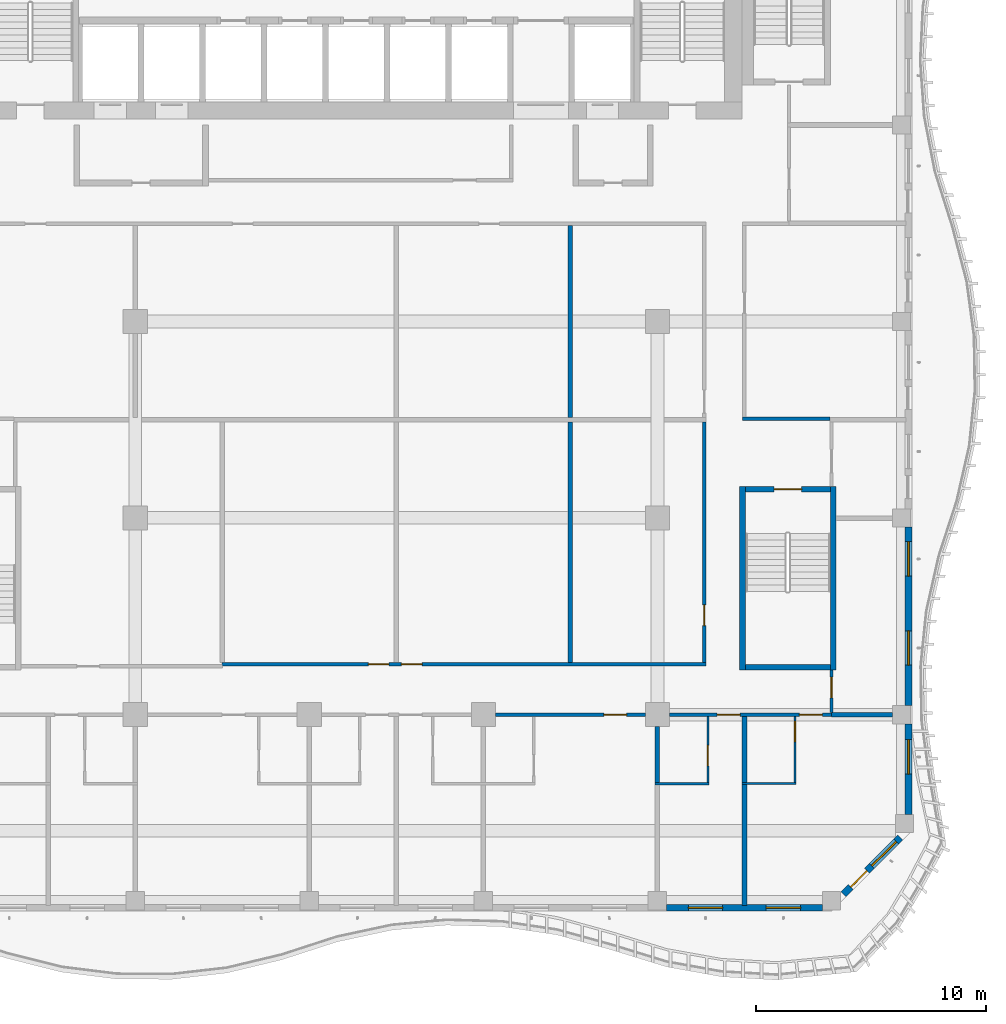
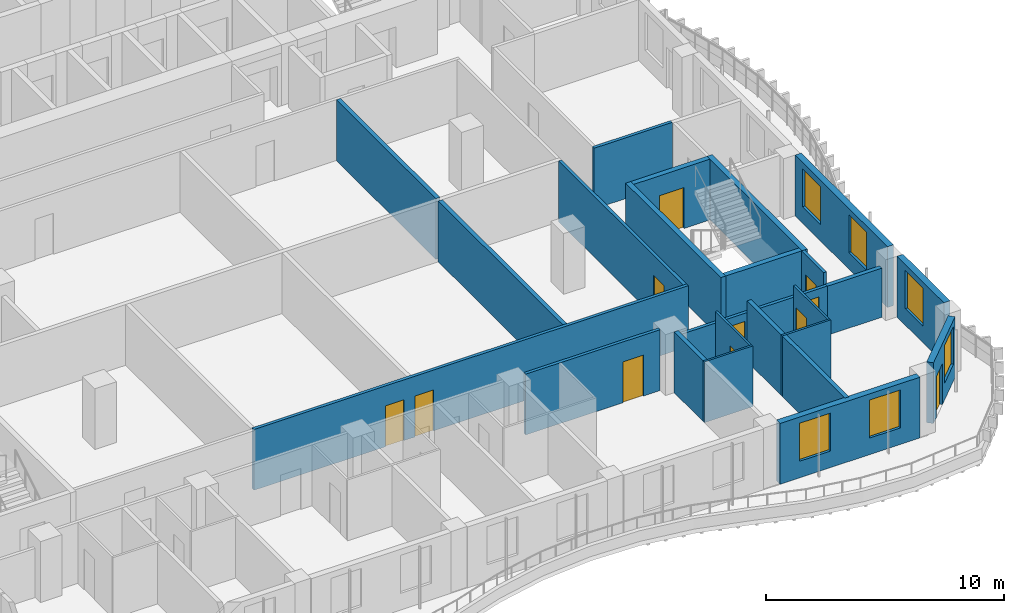
# One storey, part 5 of 21: 24 walls, 11 doors, 6 windows, 17 openings.
"""IFC4 building model written with IfcOpenShell, lengths in metres."""

from ifc_helpers import new_model, si_unit, direction, frame, frame_2d, origin, place, context, subcontext, project, spatial, rectangle, extrude, source, transform, mapped, material, layer, layer_set, type_object, element, fill, save


model = new_model("IFC4")

# Units and contexts
model_context = context("Model", 3, precision=1e-05, world=origin(), true_north=direction((0.0, 1.0)))
body_context = subcontext(model_context, "Body", "Model", "MODEL_VIEW")
ifc_project = project(units=[si_unit("LENGTHUNIT", "METRE"), si_unit("AREAUNIT", "SQUARE_METRE"), si_unit("VOLUMEUNIT", "CUBIC_METRE"), si_unit("PLANEANGLEUNIT", "RADIAN"), si_unit("MASSUNIT", "GRAM", prefix="KILO")], contexts=[model_context])

# Site, building, storey
site_placement = place(None, origin())
site = spatial("IfcSite", under=ifc_project, at=site_placement, CompositionType="ELEMENT")
building_placement = place(site_placement, origin())
building = spatial("IfcBuilding", under=site, at=building_placement, Name="Kilnfold Tower and Market Hall", CompositionType="ELEMENT")
storey_placement = place(building_placement, frame((0.0, 0.0, 182.10009765625)))
storey = spatial("IfcBuildingStorey", under=building, at=storey_placement, Name="L43", CompositionType="ELEMENT", Elevation=182.10009765625)

# Wall, opening, door
ifc_material_1 = material(Name="Gypsum board on steel studs", Category="steel")
ifc_layer_1 = layer(ifc_material_1, 0.14990234375)
ifc_layer_set_1 = layer_set([ifc_layer_1], Name="Gypsum board on steel studs")
wall_type_1 = type_object("IfcWallType", Name="WALL CORRIDOR 150", PredefinedType="PARTITIONING", material=ifc_layer_set_1)
wall_1_placement = place(storey_placement, frame((7.10791015625, -17.699951171875, 0.0), z_axis=(0.0, 0.0, 1.0), x_axis=(1.0, 0.0, 0.0)))
wall_1 = element("IfcWall", 1, at=wall_1_placement, inside=storey, type_object=wall_type_1, Name="Partition LY27.5", PredefinedType="PARTITIONING", context=body_context, shape_type="SweptSolid", body=[
    extrude(rectangle(XDim=6.5341796875, YDim=0.14990234375, at=frame_2d((3.26708984375, 0.0))), origin(), (0.0, 0.0, 1.0), 3.119873046875),
])
opening_1_placement = place(wall_1_placement, frame((4.721923828125, 0.0, 0.0)))
opening_1 = element("IfcOpeningElement", 2, at=opening_1_placement, cuts=wall_1, Name="Opening D1", PredefinedType="OPENING", context=body_context, shape_type="SweptSolid", body=[
    extrude(rectangle(XDim=1.0, YDim=2.10009765625, at=frame_2d((0.5, 1.050048828125))), frame((0.0, 0.0849609375, 0.0), z_axis=(0.0, -1.0, 0.0), x_axis=(1.0, 0.0, 0.0)), (0.0, 0.0, 1.0), 0.169921875),
])
ifc_material_2 = material(Name="Timber veneer door leaf in steel frame", Category="steel")
door_type_1 = type_object("IfcDoorType", Name="DOOR ENTRY 1000 X2100", OperationType="NOTDEFINED", PredefinedType="DOOR", material=ifc_material_2)
door_1_placement = place(opening_1_placement, origin())
door_1 = element("IfcDoor", 3, at=door_1_placement, inside=storey, type_object=door_type_1, Name="Door D1", OperationType="SINGLE_SWING_LEFT", OverallHeight=2.10009765625, OverallWidth=1.0, PredefinedType="DOOR", context=body_context, shape_type="SweptSolid", body=[
    extrude(rectangle(XDim=1.0, YDim=2.10009765625, at=frame_2d((0.5, 1.050048828125))), frame((0.0, 0.02490234375, 0.0), z_axis=(0.0, -1.0, 0.0), x_axis=(1.0, 0.0, 0.0)), (0.0, 0.0, 1.0), 0.050048828125),
])
fill(opening_1, door_1)

# Wall, openings, doors
wall_2_placement = place(storey_placement, frame((14.69189453125, -17.699951171875, 0.0), z_axis=(0.0, 0.0, 1.0), x_axis=(1.0, 0.0, 0.0)))
wall_2 = element("IfcWall", 4, at=wall_2_placement, inside=storey, type_object=wall_type_1, Name="Partition LY27.6", PredefinedType="PARTITIONING", context=body_context, shape_type="SweptSolid", body=[
    extrude(rectangle(XDim=7.05810546875, YDim=0.14990234375, at=frame_2d((3.529052734375, 0.0))), origin(), (0.0, 0.0, 1.0), 2.52001953125),
])
opening_2_placement = place(wall_2_placement, frame((2.076904296875, 0.0, 0.0)))
opening_2 = element("IfcOpeningElement", 5, at=opening_2_placement, cuts=wall_2, Name="Opening D1", PredefinedType="OPENING", context=body_context, shape_type="SweptSolid", body=[
    extrude(rectangle(XDim=1.0, YDim=2.10009765625, at=frame_2d((0.5, 1.050048828125))), frame((0.0, 0.0849609375, 0.0), z_axis=(0.0, -1.0, 0.0), x_axis=(1.0, 0.0, 0.0)), (0.0, 0.0, 1.0), 0.169921875),
])
opening_3_placement = place(wall_2_placement, frame((5.656982421875, 0.0, 0.0)))
opening_3 = element("IfcOpeningElement", 6, at=opening_3_placement, cuts=wall_2, Name="Opening D1", PredefinedType="OPENING", context=body_context, shape_type="SweptSolid", body=[
    extrude(rectangle(XDim=1.0, YDim=2.10009765625, at=frame_2d((0.5, 1.050048828125))), frame((0.0, 0.0849609375, 0.0), z_axis=(0.0, -1.0, 0.0), x_axis=(1.0, 0.0, 0.0)), (0.0, 0.0, 1.0), 0.169921875),
])
door_2_placement = place(opening_2_placement, origin())
door_2 = element("IfcDoor", 7, at=door_2_placement, inside=storey, type_object=door_type_1, Name="Door D1", OperationType="SINGLE_SWING_LEFT", OverallHeight=2.10009765625, OverallWidth=1.0, PredefinedType="DOOR", context=body_context, shape_type="SweptSolid", body=[
    extrude(rectangle(XDim=1.0, YDim=2.10009765625, at=frame_2d((0.5, 1.050048828125))), frame((0.0, 0.02490234375, 0.0), z_axis=(0.0, -1.0, 0.0), x_axis=(1.0, 0.0, 0.0)), (0.0, 0.0, 1.0), 0.050048828125),
])
fill(opening_2, door_2)
door_3_placement = place(opening_3_placement, origin())
door_3 = element("IfcDoor", 8, at=door_3_placement, inside=storey, type_object=door_type_1, Name="Door D1", OperationType="SINGLE_SWING_LEFT", OverallHeight=2.10009765625, OverallWidth=1.0, PredefinedType="DOOR", context=body_context, shape_type="SweptSolid", body=[
    extrude(rectangle(XDim=1.0, YDim=2.10009765625, at=frame_2d((0.5, 1.050048828125))), frame((0.0, 0.02490234375, 0.0), z_axis=(0.0, -1.0, 0.0), x_axis=(1.0, 0.0, 0.0)), (0.0, 0.0, 1.0), 0.050048828125),
])
fill(opening_3, door_3)

# Wall
wall_3_placement = place(storey_placement, frame((17.884033203125, -4.800048828125, 0.0), z_axis=(0.0, 0.0, 1.0), x_axis=(1.0, 0.0, 0.0)))
element("IfcWall", 9, at=wall_3_placement, inside=storey, type_object=wall_type_1, Name="Partition LY27.36", PredefinedType="PARTITIONING", context=body_context, shape_type="SweptSolid", body=[
    extrude(rectangle(XDim=3.79296875, YDim=0.14990234375, at=frame_2d((1.896484375, 0.0))), origin(), (0.0, 0.0, 1.0), 3.119873046875),
])

# Wall, opening, door
wall_4_placement = place(storey_placement, frame((21.75, -17.597900390625, 0.0), z_axis=(0.0, 0.0, 1.0), x_axis=(0.0, 1.0, 0.0)))
wall_4 = element("IfcWall", 10, at=wall_4_placement, inside=storey, type_object=wall_type_1, Name="Partition LY27.38", PredefinedType="PARTITIONING", context=body_context, shape_type="SweptSolid", body=[
    extrude(rectangle(XDim=1.847900390625, YDim=0.14990234375, at=frame_2d((0.923828125, 0.0))), origin(), (0.0, 0.0, 1.0), 3.119873046875),
])
opening_4_placement = place(wall_4_placement, frame((0.637939453125, 0.0, 0.0)))
opening_4 = element("IfcOpeningElement", 11, at=opening_4_placement, cuts=wall_4, Name="Opening D2", PredefinedType="OPENING", context=body_context, shape_type="SweptSolid", body=[
    extrude(rectangle(XDim=0.89990234375, YDim=2.10009765625, at=frame_2d((0.449951171875, 1.050048828125))), frame((0.0, 0.0849609375, 0.0), z_axis=(0.0, -1.0, 0.0), x_axis=(1.0, 0.0, 0.0)), (0.0, 0.0, 1.0), 0.169921875),
])
ifc_material_3 = material(Name="Timber veneer door leaf in steel frame", Category="steel")
door_type_2 = type_object("IfcDoorType", Name="DOOR ROOM 900 X2100", OperationType="NOTDEFINED", PredefinedType="DOOR", material=ifc_material_3)
door_4_placement = place(opening_4_placement, origin())
door_4 = element("IfcDoor", 12, at=door_4_placement, inside=storey, type_object=door_type_2, Name="Door D2", OperationType="SINGLE_SWING_LEFT", OverallHeight=2.10009765625, OverallWidth=0.89990234375, PredefinedType="DOOR", context=body_context, shape_type="SweptSolid", body=[
    extrude(rectangle(XDim=0.89990234375, YDim=2.10009765625, at=frame_2d((0.449951171875, 1.050048828125))), frame((0.0, 0.02490234375, 0.0), z_axis=(0.0, -1.0, 0.0), x_axis=(1.0, 0.0, 0.0)), (0.0, 0.0, 1.0), 0.050048828125),
])
fill(opening_4, door_4)

# Wall, openings, doors
wall_5_placement = place(storey_placement, frame((-4.802001953125, -15.5, 0.0), z_axis=(0.0, 0.0, 1.0), x_axis=(1.0, 0.0, 0.0)))
wall_5 = element("IfcWall", 13, at=wall_5_placement, inside=storey, type_object=wall_type_1, Name="Partition LY27.48", PredefinedType="PARTITIONING", context=body_context, shape_type="SweptSolid", body=[
    extrude(rectangle(XDim=21.076904296875, YDim=0.14990234375, at=frame_2d((10.53857421875, 0.0))), origin(), (0.0, 0.0, 1.0), 3.119873046875),
])
opening_5_placement = place(wall_5_placement, frame((6.3720703125, 0.0, 0.0)))
opening_5 = element("IfcOpeningElement", 14, at=opening_5_placement, cuts=wall_5, Name="Opening D2", PredefinedType="OPENING", context=body_context, shape_type="SweptSolid", body=[
    extrude(rectangle(XDim=0.89990234375, YDim=2.10009765625, at=frame_2d((0.449951171875, 1.050048828125))), frame((0.0, 0.0849609375, 0.0), z_axis=(0.0, -1.0, 0.0), x_axis=(1.0, 0.0, 0.0)), (0.0, 0.0, 1.0), 0.169921875),
])
opening_6_placement = place(wall_5_placement, frame((7.81494140625, 0.0, 0.0)))
opening_6 = element("IfcOpeningElement", 15, at=opening_6_placement, cuts=wall_5, Name="Opening D2", PredefinedType="OPENING", context=body_context, shape_type="SweptSolid", body=[
    extrude(rectangle(XDim=0.89990234375, YDim=2.10009765625, at=frame_2d((0.449951171875, 1.050048828125))), frame((0.0, 0.0849609375, 0.0), z_axis=(0.0, -1.0, 0.0), x_axis=(1.0, 0.0, 0.0)), (0.0, 0.0, 1.0), 0.169921875),
])
door_5_placement = place(opening_5_placement, origin())
door_5 = element("IfcDoor", 16, at=door_5_placement, inside=storey, type_object=door_type_2, Name="Door D2", OperationType="SINGLE_SWING_LEFT", OverallHeight=2.10009765625, OverallWidth=0.89990234375, PredefinedType="DOOR", context=body_context, shape_type="SweptSolid", body=[
    extrude(rectangle(XDim=0.89990234375, YDim=2.10009765625, at=frame_2d((0.449951171875, 1.050048828125))), frame((0.0, 0.02490234375, 0.0), z_axis=(0.0, -1.0, 0.0), x_axis=(1.0, 0.0, 0.0)), (0.0, 0.0, 1.0), 0.050048828125),
])
fill(opening_5, door_5)
door_6_placement = place(opening_6_placement, origin())
door_6 = element("IfcDoor", 17, at=door_6_placement, inside=storey, type_object=door_type_2, Name="Door D2", OperationType="SINGLE_SWING_LEFT", OverallHeight=2.10009765625, OverallWidth=0.89990234375, PredefinedType="DOOR", context=body_context, shape_type="SweptSolid", body=[
    extrude(rectangle(XDim=0.89990234375, YDim=2.10009765625, at=frame_2d((0.449951171875, 1.050048828125))), frame((0.0, 0.02490234375, 0.0), z_axis=(0.0, -1.0, 0.0), x_axis=(1.0, 0.0, 0.0)), (0.0, 0.0, 1.0), 0.050048828125),
])
fill(opening_6, door_6)

# Wall, opening, door
wall_6_placement = place(storey_placement, frame((16.199951171875, -15.425048828125, 0.0), z_axis=(0.0, 0.0, 1.0), x_axis=(0.0, 1.0, 0.0)))
wall_6 = element("IfcWall", 18, at=wall_6_placement, inside=storey, type_object=wall_type_1, Name="Partition LY27.49", PredefinedType="PARTITIONING", context=body_context, shape_type="SweptSolid", body=[
    extrude(rectangle(XDim=10.491943359375, YDim=0.14990234375, at=frame_2d((5.24609375, 0.0))), origin(), (0.0, 0.0, 1.0), 3.119873046875),
])
opening_7_placement = place(wall_6_placement, frame((1.614013671875, 0.0, 0.0)))
opening_7 = element("IfcOpeningElement", 19, at=opening_7_placement, cuts=wall_6, Name="Opening D2", PredefinedType="OPENING", context=body_context, shape_type="SweptSolid", body=[
    extrude(rectangle(XDim=0.89990234375, YDim=2.10009765625, at=frame_2d((0.449951171875, 1.050048828125))), frame((0.0, 0.0849609375, 0.0), z_axis=(0.0, -1.0, 0.0), x_axis=(1.0, 0.0, 0.0)), (0.0, 0.0, 1.0), 0.169921875),
])
door_7_placement = place(opening_7_placement, origin())
door_7 = element("IfcDoor", 20, at=door_7_placement, inside=storey, type_object=door_type_2, Name="Door D2", OperationType="SINGLE_SWING_RIGHT", OverallHeight=2.10009765625, OverallWidth=0.89990234375, PredefinedType="DOOR", context=body_context, shape_type="SweptSolid", body=[
    extrude(rectangle(XDim=0.89990234375, YDim=2.10009765625, at=frame_2d((0.449951171875, 1.050048828125))), frame((0.0, 0.02490234375, 0.0), z_axis=(0.0, -1.0, 0.0), x_axis=(1.0, 0.0, 0.0)), (0.0, 0.0, 1.0), 0.050048828125),
])
fill(opening_7, door_7)

ifc_material_4 = material(Name="Gypsum board on steel studs", Category="steel")
ifc_layer_2 = layer(ifc_material_4, 0.10009765625)
ifc_layer_set_2 = layer_set([ifc_layer_2], Name="Gypsum board on steel studs")
wall_type_2 = type_object("IfcWallType", Name="WALL PARTITION 100", PredefinedType="PARTITIONING", material=ifc_layer_set_2)
wall_7_placement = place(storey_placement, frame((16.366943359375, -17.777099609375, 0.0), z_axis=(0.0, 0.0, 1.0), x_axis=(0.0, -1.0, 0.0)))
wall_7 = element("IfcWall", 21, at=wall_7_placement, inside=storey, type_object=wall_type_2, Name="Partition LY27.76", PredefinedType="PARTITIONING", context=body_context, shape_type="SweptSolid", body=[
    extrude(rectangle(XDim=2.875, YDim=0.10009765625, at=frame_2d((1.4375, 0.0))), origin(), (0.0, 0.0, 1.0), 3.119873046875),
])
opening_8_placement = place(wall_7_placement, frame((1.25, 0.0, 0.0)))
opening_8 = element("IfcOpeningElement", 22, at=opening_8_placement, cuts=wall_7, Name="Opening D3", PredefinedType="OPENING", context=body_context, shape_type="SweptSolid", body=[
    extrude(rectangle(XDim=0.89990234375, YDim=2.10009765625, at=frame_2d((0.449951171875, 1.050048828125))), frame((0.0, 0.06005859375, 0.0), z_axis=(0.0, -1.0, 0.0), x_axis=(1.0, 0.0, 0.0)), (0.0, 0.0, 1.0), 0.1201171875),
])
ifc_material_5 = material(Name="Timber veneer door leaf in steel frame", Category="steel")
door_type_3 = type_object("IfcDoorType", Name="DOOR WC 900 X2100", OperationType="NOTDEFINED", PredefinedType="DOOR", material=ifc_material_5)
door_8_placement = place(opening_8_placement, origin())
door_8 = element("IfcDoor", 23, at=door_8_placement, inside=storey, type_object=door_type_3, Name="Door D3", OperationType="SINGLE_SWING_LEFT", OverallHeight=2.10009765625, OverallWidth=0.89990234375, PredefinedType="DOOR", context=body_context, shape_type="SweptSolid", body=[
    extrude(rectangle(XDim=0.89990234375, YDim=2.10009765625, at=frame_2d((0.449951171875, 1.050048828125))), frame((0.0, 0.02490234375, 0.0), z_axis=(0.0, -1.0, 0.0), x_axis=(1.0, 0.0, 0.0)), (0.0, 0.0, 1.0), 0.050048828125),
])
fill(opening_8, door_8)

# Walls
for number, where, z_axis, x_axis, name in (
    (24, (14.06689453125, -20.701904296875, 0.0), (0.0, 0.0, 1.0), (1.0, 0.0, 0.0), "Partition LY27.77"),
    (25, (17.85888671875, -20.68798828125, 0.0), (0.0, 0.0, 1.0), (1.0, 0.0, 0.0), "Partition LY27.80"),
):
    element("IfcWall", number, at=place(storey_placement, frame(where, z_axis=z_axis, x_axis=x_axis)), inside=storey, type_object=wall_type_2, Name=name, PredefinedType="PARTITIONING", context=body_context, shape_type="SweptSolid", body=[
        extrude(rectangle(XDim=2.35009765625, YDim=0.10009765625, at=frame_2d((1.175048828125, 0.0))), origin(), (0.0, 0.0, 1.0), 3.119873046875),
    ])

# Wall, opening, door
wall_8_placement = place(storey_placement, frame((20.158935546875, -17.777099609375, 0.0), z_axis=(0.0, 0.0, 1.0), x_axis=(0.0, -1.0, 0.0)))
wall_8 = element("IfcWall", 26, at=wall_8_placement, inside=storey, type_object=wall_type_2, Name="Partition LY27.81", PredefinedType="PARTITIONING", context=body_context, shape_type="SweptSolid", body=[
    extrude(rectangle(XDim=2.86083984375, YDim=0.10009765625, at=frame_2d((1.430419921875, 0.0))), origin(), (0.0, 0.0, 1.0), 3.119873046875),
])
opening_9_placement = place(wall_8_placement, frame((0.199951171875, 0.0, 0.0)))
opening_9 = element("IfcOpeningElement", 27, at=opening_9_placement, cuts=wall_8, Name="Opening D3", PredefinedType="OPENING", context=body_context, shape_type="SweptSolid", body=[
    extrude(rectangle(XDim=0.89990234375, YDim=2.10009765625, at=frame_2d((0.449951171875, 1.050048828125))), frame((0.0, 0.06005859375, 0.0), z_axis=(0.0, -1.0, 0.0), x_axis=(1.0, 0.0, 0.0)), (0.0, 0.0, 1.0), 0.1201171875),
])
door_9_placement = place(opening_9_placement, origin())
door_9 = element("IfcDoor", 28, at=door_9_placement, inside=storey, type_object=door_type_3, Name="Door D3", OperationType="SINGLE_SWING_LEFT", OverallHeight=2.10009765625, OverallWidth=0.89990234375, PredefinedType="DOOR", context=body_context, shape_type="SweptSolid", body=[
    extrude(rectangle(XDim=0.89990234375, YDim=2.10009765625, at=frame_2d((0.449951171875, 1.050048828125))), frame((0.0, 0.02490234375, 0.0), z_axis=(0.0, -1.0, 0.0), x_axis=(1.0, 0.0, 0.0)), (0.0, 0.0, 1.0), 0.050048828125),
])
fill(opening_9, door_9)

# Walls
ifc_material_6 = material(Name="Gypsum board on steel studs", Category="steel")
ifc_layer_3 = layer(ifc_material_6, 0.199951171875)
ifc_layer_set_3 = layer_set([ifc_layer_3], Name="Gypsum board on steel studs")
wall_type_3 = type_object("IfcWallType", Name="WALL PARTY 200", PredefinedType="PARTITIONING", material=ifc_layer_set_3)
wall_9_placement = place(storey_placement, frame((14.1669921875, -20.662109375, 0.0), z_axis=(0.0, 0.0, 1.0), x_axis=(0.0, 1.0, 0.0)))
element("IfcWall", 29, at=wall_9_placement, inside=storey, type_object=wall_type_3, Name="Partition LY27.75", PredefinedType="PARTITIONING", context=body_context, shape_type="SweptSolid", body=[
    extrude(rectangle(XDim=2.4501953125, YDim=0.199951171875, at=frame_2d((1.22509765625, 0.0))), origin(), (0.0, 0.0, 1.0), 3.119873046875),
])
wall_10_placement = place(storey_placement, frame((17.958984375, -26.0, 0.0), z_axis=(0.0, 0.0, 1.0), x_axis=(0.0, 1.0, 0.0)))
element("IfcWall", 30, at=wall_10_placement, inside=storey, type_object=wall_type_3, Name="Partition LY27.78", PredefinedType="PARTITIONING", context=body_context, shape_type="SweptSolid", body=[
    extrude(rectangle(XDim=5.27197265625, YDim=0.199951171875, at=frame_2d((2.635986328125, 0.0))), origin(), (0.0, 0.0, 1.0), 3.119873046875),
])
wall_11_placement = place(storey_placement, frame((17.958984375, -20.64794921875, 0.0), z_axis=(0.0, 0.0, 1.0), x_axis=(0.0, 1.0, 0.0)))
element("IfcWall", 31, at=wall_11_placement, inside=storey, type_object=wall_type_3, Name="Partition LY27.79", PredefinedType="PARTITIONING", context=body_context, shape_type="SweptSolid", body=[
    extrude(rectangle(XDim=2.870849609375, YDim=0.199951171875, at=frame_2d((1.435546875, 0.0))), origin(), (0.0, 0.0, 1.0), 3.119873046875),
])
wall_12_placement = place(storey_placement, frame((21.751953125, -17.68798828125, 0.0), z_axis=(0.0, 0.0, 1.0), x_axis=(1.0, 0.0, 0.0)))
element("IfcWall", 32, at=wall_12_placement, inside=storey, type_object=wall_type_3, Name="Partition LY27.82", PredefinedType="PARTITIONING", context=body_context, shape_type="SweptSolid", body=[
    extrude(rectangle(XDim=2.64794921875, YDim=0.199951171875, at=frame_2d((1.323974609375, 0.0))), origin(), (0.0, 0.0, 1.0), 2.52001953125),
])
wall_13_placement = place(storey_placement, frame((10.375, -4.742919921875, 0.0), z_axis=(0.0, 0.0, 1.0), x_axis=(0.0, 1.0, 0.0)))
element("IfcWall", 33, at=wall_13_placement, inside=storey, type_object=wall_type_3, Name="Partition LY27.121", PredefinedType="PARTITIONING", context=body_context, shape_type="SweptSolid", body=[
    extrude(rectangle(XDim=8.365966796875, YDim=0.199951171875, at=frame_2d((4.18310546875, 0.0))), origin(), (0.0, 0.0, 1.0), 3.119873046875),
])
wall_14_placement = place(storey_placement, frame((10.375, -15.423095703125, 0.0), z_axis=(0.0, 0.0, 1.0), x_axis=(0.0, 1.0, 0.0)))
element("IfcWall", 34, at=wall_14_placement, inside=storey, type_object=wall_type_3, Name="Partition LY27.124", PredefinedType="PARTITIONING", context=body_context, shape_type="SweptSolid", body=[
    extrude(rectangle(XDim=10.47998046875, YDim=0.199951171875, at=frame_2d((5.239990234375, 0.0))), origin(), (0.0, 0.0, 1.0), 3.119873046875),
])
ifc_material_7 = material(Name="Concrete C60", Category="concrete")
ifc_layer_4 = layer(ifc_material_7, 0.25)
ifc_layer_set_4 = layer_set([ifc_layer_4], Name="Concrete C60")
wall_type_4 = type_object("IfcWallType", Name="CORE WALL 250 C60", PredefinedType="SHEAR", material=ifc_layer_set_4)
shared_shape_1 = source(origin(), body_context, "Body", "SweptSolid", [
    extrude(rectangle(XDim=3.699951171875, YDim=0.25, at=frame_2d((1.85009765625, 0.0))), origin(), (0.0, 0.0, 1.0), 3.119873046875),
])
wall_15_placement = place(storey_placement, frame((18.0, -15.625, 0.0), z_axis=(0.0, 0.0, 1.0), x_axis=(1.0, 0.0, 0.0)))
element("IfcWall", 35, at=wall_15_placement, inside=storey, type_object=wall_type_4, Name="Stair enclosure ST4", PredefinedType="SHEAR", context=body_context, shape_type="MappedRepresentation", body=[
    mapped(shared_shape_1, transform((0.0, 0.0, 0.0))),
])

# Wall, opening, door
wall_16_placement = place(storey_placement, frame((18.0, -7.875, 0.0), z_axis=(0.0, 0.0, 1.0), x_axis=(1.0, 0.0, 0.0)))
wall_16 = element("IfcWall", 36, at=wall_16_placement, inside=storey, type_object=wall_type_4, Name="Stair enclosure ST4", PredefinedType="SHEAR", context=body_context, shape_type="MappedRepresentation", body=[
    mapped(shared_shape_1, transform((0.0, 0.0, 0.0))),
])
opening_10_placement = place(wall_16_placement, frame((1.25, 0.0, 0.0)))
opening_10 = element("IfcOpeningElement", 37, at=opening_10_placement, cuts=wall_16, Name="Opening SD1", PredefinedType="OPENING", context=body_context, shape_type="SweptSolid", body=[
    extrude(rectangle(XDim=1.199951171875, YDim=2.10009765625, at=frame_2d((0.60009765625, 1.050048828125))), frame((0.0, 0.135009765625, 0.0), z_axis=(0.0, -1.0, 0.0), x_axis=(1.0, 0.0, 0.0)), (0.0, 0.0, 1.0), 0.27001953125),
])
ifc_material_8 = material(Name="Steel door set with fire-resisting leaf", Category="steel")
door_type_4 = type_object("IfcDoorType", Name="STAIR FLOOR DOOR 1200X2100", OperationType="NOTDEFINED", PredefinedType="DOOR", material=ifc_material_8)
door_10_placement = place(opening_10_placement, origin())
door_10 = element("IfcDoor", 38, at=door_10_placement, inside=storey, type_object=door_type_4, Name="Exit stair ST4 door", OperationType="DOUBLE_DOOR_SINGLE_SWING", OverallHeight=2.10009765625, OverallWidth=1.199951171875, PredefinedType="DOOR", context=body_context, shape_type="SweptSolid", body=[
    extrude(rectangle(XDim=1.199951171875, YDim=2.10009765625, at=frame_2d((0.60009765625, 1.050048828125))), frame((0.0, 0.02490234375, 0.0), z_axis=(0.0, -1.0, 0.0), x_axis=(1.0, 0.0, 0.0)), (0.0, 0.0, 1.0), 0.050048828125),
])
fill(opening_10, door_10)

# Walls
shared_shape_2 = source(origin(), body_context, "Body", "SweptSolid", [
    extrude(rectangle(XDim=8.0, YDim=0.25, at=frame_2d((4.0, 0.0))), origin(), (0.0, 0.0, 1.0), 3.119873046875),
])
for number, where, z_axis, x_axis, name in (
    (39, (17.875, -15.75, 0.0), (0.0, 0.0, 1.0), (0.0, 1.0, 0.0), "Stair enclosure ST4"),
    (40, (21.824951171875, -15.75, 0.0), (0.0, 0.0, 1.0), (0.0, 1.0, 0.0), "Stair enclosure ST4"),
):
    element("IfcWall", number, at=place(storey_placement, frame(where, z_axis=z_axis, x_axis=x_axis)), inside=storey, type_object=wall_type_4, Name=name, PredefinedType="SHEAR", context=body_context, shape_type="MappedRepresentation", body=[
        mapped(shared_shape_2, transform((0.0, 0.0, 0.0))),
    ])

# Wall, openings, windows
ifc_material_9 = material(Name="Precast concrete C50/60", Category="concrete")
ifc_layer_5 = layer(ifc_material_9, 0.300048828125)
ifc_layer_set_5 = layer_set([ifc_layer_5], Name="Precast concrete C50/60")
wall_type_5 = type_object("IfcWallType", Name="PRECAST WALL 300", PredefinedType="SOLIDWALL", material=ifc_layer_set_5)
shared_shape_3 = source(origin(), body_context, "Body", "SweptSolid", [
    extrude(rectangle(XDim=6.783447265625, YDim=0.300048828125, at=frame_2d((3.3916015625, 0.0))), origin(), (0.0, 0.0, 1.0), 3.119873046875),
])
wall_17_placement = place(storey_placement, frame((14.566650390625, -26.10009765625, 0.0), z_axis=(0.0, 0.0, 1.0), x_axis=(1.0, 0.0, 0.0)))
wall_17 = element("IfcWall", 41, at=wall_17_placement, inside=storey, type_object=wall_type_5, Name="External wall L43 S", PredefinedType="SOLIDWALL", context=body_context, shape_type="MappedRepresentation", body=[
    mapped(shared_shape_3, transform((0.0, 0.0, 0.0))),
])
opening_11_placement = place(wall_17_placement, frame((0.94580078125, 0.0, 0.85009765625)))
opening_11 = element("IfcOpeningElement", 42, at=opening_11_placement, cuts=wall_17, Name="Opening W4", PredefinedType="OPENING", context=body_context, shape_type="SweptSolid", body=[
    extrude(rectangle(XDim=1.5, YDim=1.949951171875, at=frame_2d((0.75, 0.97509765625))), frame((0.0, 0.16015625, 0.0), z_axis=(0.0, -1.0, 0.0), x_axis=(1.0, 0.0, 0.0)), (0.0, 0.0, 1.0), 0.320068359375),
])
opening_12_placement = place(wall_17_placement, frame((4.33740234375, 0.0, 0.85009765625)))
opening_12 = element("IfcOpeningElement", 43, at=opening_12_placement, cuts=wall_17, Name="Opening W4", PredefinedType="OPENING", context=body_context, shape_type="SweptSolid", body=[
    extrude(rectangle(XDim=1.5, YDim=1.949951171875, at=frame_2d((0.75, 0.97509765625))), frame((0.0, 0.16015625, 0.0), z_axis=(0.0, -1.0, 0.0), x_axis=(1.0, 0.0, 0.0)), (0.0, 0.0, 1.0), 0.320068359375),
])
ifc_material_10 = material(Name="Aluminium frame and double glazing", Category="aluminium")
window_type = type_object("IfcWindowType", Name="WINDOW W4 1500X1950", PartitioningType="SINGLE_PANEL", PredefinedType="WINDOW", material=ifc_material_10)
window_1_placement = place(opening_11_placement, origin())
window_1 = element("IfcWindow", 44, at=window_1_placement, inside=storey, type_object=window_type, Name="Window W4 L43 S-1", OverallHeight=1.949951171875, OverallWidth=1.5, PartitioningType="SINGLE_PANEL", PredefinedType="WINDOW", context=body_context, shape_type="SweptSolid", body=[
    extrude(rectangle(XDim=1.5, YDim=1.949951171875, at=frame_2d((0.75, 0.97509765625))), frame((0.0, 0.030029296875, 0.0), z_axis=(0.0, -1.0, 0.0), x_axis=(1.0, 0.0, 0.0)), (0.0, 0.0, 1.0), 0.06005859375),
])
fill(opening_11, window_1)
window_2_placement = place(opening_12_placement, origin())
window_2 = element("IfcWindow", 45, at=window_2_placement, inside=storey, type_object=window_type, Name="Window W4 L43 S-2", OverallHeight=1.949951171875, OverallWidth=1.5, PartitioningType="SINGLE_PANEL", PredefinedType="WINDOW", context=body_context, shape_type="SweptSolid", body=[
    extrude(rectangle(XDim=1.5, YDim=1.949951171875, at=frame_2d((0.75, 0.97509765625))), frame((0.0, 0.030029296875, 0.0), z_axis=(0.0, -1.0, 0.0), x_axis=(1.0, 0.0, 0.0)), (0.0, 0.0, 1.0), 0.06005859375),
])
fill(opening_12, window_2)

# Wall, openings, door, window
shared_shape_4 = source(origin(), body_context, "Body", "SweptSolid", [
    extrude(rectangle(XDim=3.500244140625, YDim=0.300048828125, at=frame_2d((1.75, 0.0))), origin(), (0.0, 0.0, 1.0), 3.119873046875),
])
wall_18_placement = place(storey_placement, frame((22.268798828125, -25.518798828125, 0.0), z_axis=(0.0, 0.0, 1.0), x_axis=(0.707141656123, 0.70707190453, 0.0)))
wall_18 = element("IfcWall", 46, at=wall_18_placement, inside=storey, type_object=wall_type_5, Name="External wall L43 SE", PredefinedType="SOLIDWALL", context=body_context, shape_type="MappedRepresentation", body=[
    mapped(shared_shape_4, transform((0.0, 0.0, 0.0))),
])
opening_13_placement = place(wall_18_placement, frame((1.75, 0.0, 0.85009765625)))
opening_13 = element("IfcOpeningElement", 47, at=opening_13_placement, cuts=wall_18, Name="Opening W4", PredefinedType="OPENING", context=body_context, shape_type="SweptSolid", body=[
    extrude(rectangle(XDim=1.5, YDim=1.949951171875, at=frame_2d((0.75, 0.97509765625))), frame((0.0, 0.16015625, 0.0), z_axis=(0.0, -1.0, 0.0), x_axis=(1.0, 0.0, 0.0)), (0.0, 0.0, 1.0), 0.320068359375),
])
opening_14_placement = place(wall_18_placement, frame((0.449951171875, 0.0, 0.0)))
opening_14 = element("IfcOpeningElement", 48, at=opening_14_placement, cuts=wall_18, Name="Opening BD1", PredefinedType="OPENING", context=body_context, shape_type="SweptSolid", body=[
    extrude(rectangle(XDim=1.0, YDim=2.10009765625, at=frame_2d((0.5, 1.050048828125))), frame((0.0, 0.16015625, 0.0), z_axis=(0.0, -1.0, 0.0), x_axis=(1.0, 0.0, 0.0)), (0.0, 0.0, 1.0), 0.320068359375),
])
ifc_material_11 = material(Name="Aluminium frame and double glazing", Category="aluminium")
door_type_5 = type_object("IfcDoorType", Name="BALCONY DOOR 1000X2100", OperationType="NOTDEFINED", PredefinedType="DOOR", material=ifc_material_11)
door_11_placement = place(opening_14_placement, origin())
door_11 = element("IfcDoor", 49, at=door_11_placement, inside=storey, type_object=door_type_5, Name="Balcony door BD1 L43 SE-1", OperationType="SINGLE_SWING_LEFT", OverallHeight=2.10009765625, OverallWidth=1.0, PredefinedType="DOOR", context=body_context, shape_type="SweptSolid", body=[
    extrude(rectangle(XDim=1.0, YDim=2.10009765625, at=frame_2d((0.5, 1.050048828125))), frame((0.0, 0.02490234375, 0.0), z_axis=(0.0, -1.0, 0.0), x_axis=(1.0, 0.0, 0.0)), (0.0, 0.0, 1.0), 0.050048828125),
])
fill(opening_14, door_11)
window_3_placement = place(opening_13_placement, origin())
window_3 = element("IfcWindow", 50, at=window_3_placement, inside=storey, type_object=window_type, Name="Window W4 L43 SE-1", OverallHeight=1.949951171875, OverallWidth=1.5, PartitioningType="SINGLE_PANEL", PredefinedType="WINDOW", context=body_context, shape_type="SweptSolid", body=[
    extrude(rectangle(XDim=1.5, YDim=1.949951171875, at=frame_2d((0.75, 0.97509765625))), frame((0.0, 0.030029296875, 0.0), z_axis=(0.0, -1.0, 0.0), x_axis=(1.0, 0.0, 0.0)), (0.0, 0.0, 1.0), 0.06005859375),
])
fill(opening_13, window_3)

# Wall, opening, window
shared_shape_5 = source(origin(), body_context, "Body", "SweptSolid", [
    extrude(rectangle(XDim=3.9443359375, YDim=0.300048828125, at=frame_2d((1.97216796875, 0.0))), origin(), (0.0, 0.0, 1.0), 3.119873046875),
])
wall_19_placement = place(storey_placement, frame((25.10009765625, -22.03173828125, 0.0), z_axis=(0.0, 0.0, 1.0), x_axis=(0.0, 1.0, 0.0)))
wall_19 = element("IfcWall", 51, at=wall_19_placement, inside=storey, type_object=wall_type_5, Name="External wall L43 E", PredefinedType="SOLIDWALL", context=body_context, shape_type="MappedRepresentation", body=[
    mapped(shared_shape_5, transform((0.0, 0.0, 0.0))),
])
opening_15_placement = place(wall_19_placement, frame((1.75, 0.0, 0.85009765625)))
opening_15 = element("IfcOpeningElement", 52, at=opening_15_placement, cuts=wall_19, Name="Opening W4", PredefinedType="OPENING", context=body_context, shape_type="SweptSolid", body=[
    extrude(rectangle(XDim=1.5, YDim=1.949951171875, at=frame_2d((0.75, 0.97509765625))), frame((0.0, 0.16015625, 0.0), z_axis=(0.0, -1.0, 0.0), x_axis=(1.0, 0.0, 0.0)), (0.0, 0.0, 1.0), 0.320068359375),
])
window_4_placement = place(opening_15_placement, origin())
window_4 = element("IfcWindow", 53, at=window_4_placement, inside=storey, type_object=window_type, Name="Window W4 L43 E-1", OverallHeight=1.949951171875, OverallWidth=1.5, PartitioningType="SINGLE_PANEL", PredefinedType="WINDOW", context=body_context, shape_type="SweptSolid", body=[
    extrude(rectangle(XDim=1.5, YDim=1.949951171875, at=frame_2d((0.75, 0.97509765625))), frame((0.0, 0.030029296875, 0.0), z_axis=(0.0, -1.0, 0.0), x_axis=(1.0, 0.0, 0.0)), (0.0, 0.0, 1.0), 0.06005859375),
])
fill(opening_15, window_4)

# Wall, openings, windows
shared_shape_6 = source(origin(), body_context, "Body", "SweptSolid", [
    extrude(rectangle(XDim=7.7626953125, YDim=0.300048828125, at=frame_2d((3.88134765625, 0.0))), origin(), (0.0, 0.0, 1.0), 3.119873046875),
])
wall_20_placement = place(storey_placement, frame((25.10009765625, -17.28759765625, 0.0), z_axis=(0.0, 0.0, 1.0), x_axis=(0.0, 1.0, 0.0)))
wall_20 = element("IfcWall", 54, at=wall_20_placement, inside=storey, type_object=wall_type_5, Name="External wall L43 E", PredefinedType="SOLIDWALL", context=body_context, shape_type="MappedRepresentation", body=[
    mapped(shared_shape_6, transform((0.0, 0.0, 0.0))),
])
opening_16_placement = place(wall_20_placement, frame((1.75, 0.0, 0.85009765625)))
opening_16 = element("IfcOpeningElement", 55, at=opening_16_placement, cuts=wall_20, Name="Opening W4", PredefinedType="OPENING", context=body_context, shape_type="SweptSolid", body=[
    extrude(rectangle(XDim=1.5, YDim=1.949951171875, at=frame_2d((0.75, 0.97509765625))), frame((0.0, 0.16015625, 0.0), z_axis=(0.0, -1.0, 0.0), x_axis=(1.0, 0.0, 0.0)), (0.0, 0.0, 1.0), 0.320068359375),
])
opening_17_placement = place(wall_20_placement, frame((5.63134765625, 0.0, 0.85009765625)))
opening_17 = element("IfcOpeningElement", 56, at=opening_17_placement, cuts=wall_20, Name="Opening W4", PredefinedType="OPENING", context=body_context, shape_type="SweptSolid", body=[
    extrude(rectangle(XDim=1.5, YDim=1.949951171875, at=frame_2d((0.75, 0.97509765625))), frame((0.0, 0.16015625, 0.0), z_axis=(0.0, -1.0, 0.0), x_axis=(1.0, 0.0, 0.0)), (0.0, 0.0, 1.0), 0.320068359375),
])
window_5_placement = place(opening_16_placement, origin())
window_5 = element("IfcWindow", 57, at=window_5_placement, inside=storey, type_object=window_type, Name="Window W4 L43 E-1", OverallHeight=1.949951171875, OverallWidth=1.5, PartitioningType="SINGLE_PANEL", PredefinedType="WINDOW", context=body_context, shape_type="SweptSolid", body=[
    extrude(rectangle(XDim=1.5, YDim=1.949951171875, at=frame_2d((0.75, 0.97509765625))), frame((0.0, 0.030029296875, 0.0), z_axis=(0.0, -1.0, 0.0), x_axis=(1.0, 0.0, 0.0)), (0.0, 0.0, 1.0), 0.06005859375),
])
fill(opening_16, window_5)
window_6_placement = place(opening_17_placement, origin())
window_6 = element("IfcWindow", 58, at=window_6_placement, inside=storey, type_object=window_type, Name="Window W4 L43 E-2", OverallHeight=1.949951171875, OverallWidth=1.5, PartitioningType="SINGLE_PANEL", PredefinedType="WINDOW", context=body_context, shape_type="SweptSolid", body=[
    extrude(rectangle(XDim=1.5, YDim=1.949951171875, at=frame_2d((0.75, 0.97509765625))), frame((0.0, 0.030029296875, 0.0), z_axis=(0.0, -1.0, 0.0), x_axis=(1.0, 0.0, 0.0)), (0.0, 0.0, 1.0), 0.06005859375),
])
fill(opening_17, window_6)

save(model, "model.ifc")
